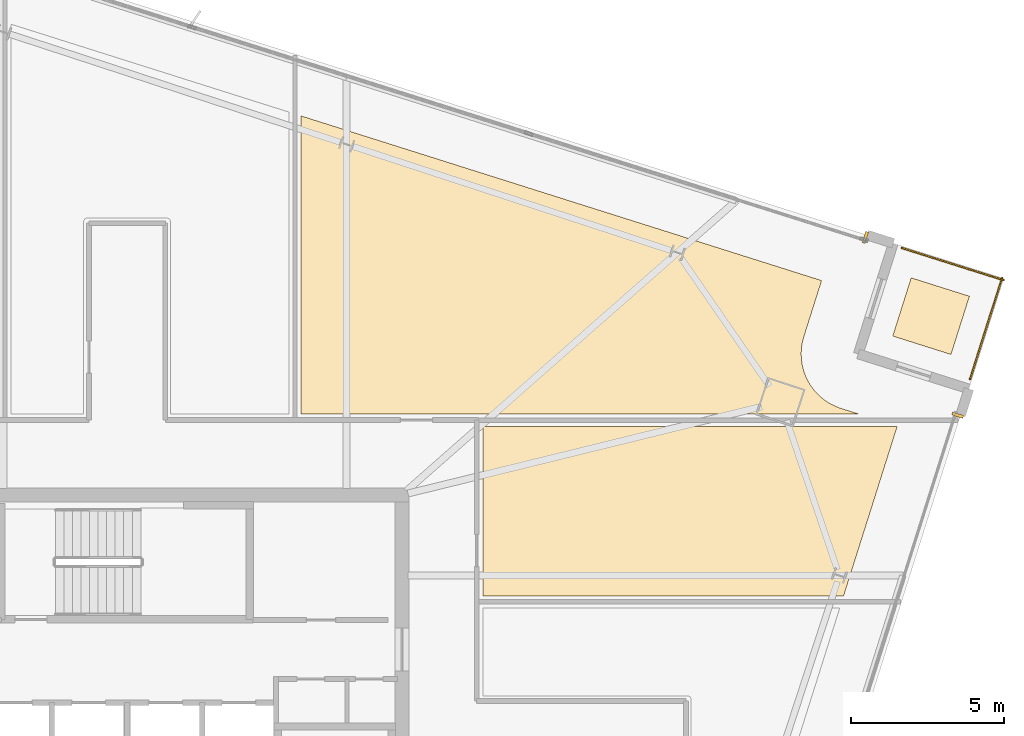
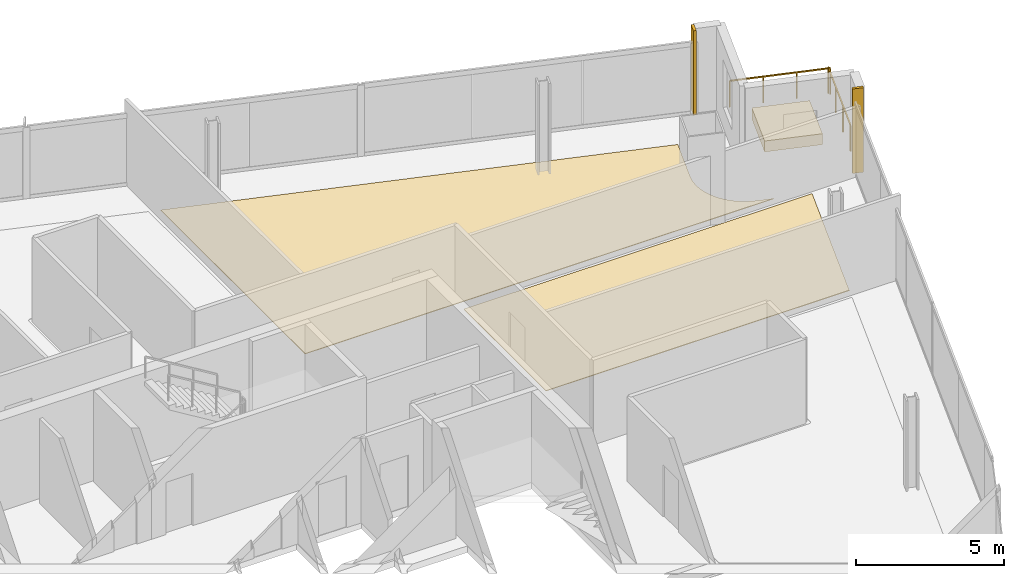
# One storey, part 26 of 26: 5 coverings, 2 railings.
"""IFC4 building model written with IfcOpenShell, lengths in metres."""

from ifc_helpers import new_model, si_unit, direction, frame, origin, origin_2d, place, context, subcontext, project, spatial, polyline, rectangle, outline, extrude, source, transform, mapped, material, layer, layer_set, type_object, element, save


model = new_model("IFC4")

# Units and contexts
model_context = context("Model", 3, precision=1e-05, world=origin(), true_north=direction((0.0, 1.0)))
body_context = subcontext(model_context, "Body", "Model", "MODEL_VIEW")
ifc_project = project(units=[si_unit("LENGTHUNIT", "METRE"), si_unit("AREAUNIT", "SQUARE_METRE"), si_unit("VOLUMEUNIT", "CUBIC_METRE"), si_unit("PLANEANGLEUNIT", "RADIAN"), si_unit("MASSUNIT", "GRAM", prefix="KILO")], contexts=[model_context])

# Site, building, storey
site_placement = place(None, origin())
site = spatial("IfcSite", under=ifc_project, at=site_placement, CompositionType="ELEMENT")
building_placement = place(site_placement, origin())
building = spatial("IfcBuilding", under=site, at=building_placement, Name="Haldenkirk Collegiate Tower", CompositionType="ELEMENT")
storey_placement = place(building_placement, frame((0.0, 0.0, 271.199951171875)))
storey = spatial("IfcBuildingStorey", under=building, at=storey_placement, Name="L68", CompositionType="ELEMENT", Elevation=271.199951171875)

# Coverings
ifc_material_1 = material(Name="Polished collegiate terrazzo", Category="concrete")
ifc_layer_1 = layer(ifc_material_1, 0.02490234375)
ifc_layer_set_1 = layer_set([ifc_layer_1], Name="Polished collegiate terrazzo")
covering_type_1 = type_object("IfcCoveringType", Name="COV-FLOOR-TERRAZZO", PredefinedType="FLOORING", material=ifc_layer_set_1)
covering_1_placement = place(storey_placement, origin())
element("IfcCovering", 1, at=covering_1_placement, inside=storey, type_object=covering_type_1, Name="L68 academic room finish 06", PredefinedType="FLOORING", context=body_context, shape_type="SweptSolid", body=[
    extrude(outline(polyline([(58.7431640625, 41.021240234375), (58.1611328125, 39.18115234375), (58.159423828125, 39.17529296875), (58.11572265625, 39.00927734375), (58.11328125, 38.997802734375), (58.086181640625, 38.828125), (58.0849609375, 38.81640625), (58.074462890625, 38.64501953125), (58.07421875, 38.63330078125), (58.080810546875, 38.461669921875), (58.081787109375, 38.449951171875), (58.10498046875, 38.27978515625), (58.107177734375, 38.268310546875), (58.14697265625, 38.10107421875), (58.150146484375, 38.08984375), (58.2060546875, 37.927490234375), (58.21044921875, 37.91650390625), (58.281982421875, 37.760498046875), (58.28759765625, 37.75), (58.3740234375, 37.6015625), (58.380615234375, 37.591796875), (58.481201171875, 37.45263671875), (58.488525390625, 37.443603515625), (58.602294921875, 37.31494140625), (58.610595703125, 37.306396484375), (58.736572265625, 37.189697265625), (58.74560546875, 37.18212890625), (58.882080078125, 37.078125), (58.891845703125, 37.071533203125), (59.0380859375, 36.9814453125), (59.04833984375, 36.975830078125), (59.202880859375, 36.900390625), (59.213623046875, 36.89599609375), (59.374755859375, 36.836181640625), (59.380126953125, 36.834228515625), (59.962890625, 36.64990234375), (41.699951171875, 36.64990234375), (41.699951171875, 46.411376953125), (58.7431640625, 41.021240234375)])), origin(), (0.0, 0.0, 1.0), 0.025146484375),
])
covering_2_placement = place(storey_placement, origin())
element("IfcCovering", 2, at=covering_2_placement, inside=storey, type_object=covering_type_1, Name="L68 academic room finish 12", PredefinedType="FLOORING", context=body_context, shape_type="SweptSolid", body=[
    extrude(outline(polyline([(59.46435546875, 30.699951171875), (47.64990234375, 30.699951171875), (47.64990234375, 36.25), (61.2197265625, 36.25), (59.46435546875, 30.699951171875)])), origin(), (0.0, 0.0, 1.0), 0.025146484375),
])
ifc_material_2 = material(Name="Precast concrete f'c 40 MPa", Category="concrete")
ifc_layer_2 = layer(ifc_material_2, 0.449951171875)
ifc_layer_set_2 = layer_set([ifc_layer_2], Name="Precast concrete f'c 40 MPa")
covering_type_2 = type_object("IfcCoveringType", Name="COV-PLANTER-450", PredefinedType="USERDEFINED", material=ifc_layer_set_2)
covering_3_placement = place(storey_placement, origin())
element("IfcCovering", 3, at=covering_3_placement, inside=storey, type_object=covering_type_2, Name="L68 planted garden planter bed", ObjectType="PLANTER", PredefinedType="USERDEFINED", context=body_context, shape_type="SweptSolid", body=[
    extrude(outline(polyline([(62.98046875, 38.600830078125), (61.073486328125, 39.203857421875), (61.676513671875, 41.11083984375), (63.58349609375, 40.5078125), (62.98046875, 38.600830078125)])), origin(), (0.0, 0.0, 1.0), 0.449951171875),
])

# Railings
ifc_material_3 = material(Name="Anodised architectural bronze aluminium", Category="aluminium")
railing_type = type_object("IfcRailingType", Name="RLG-TERR-BALUSTRADE-1100", PredefinedType="BALUSTRADE", material=ifc_material_3)
railing_1_placement = place(storey_placement, frame((63.6064453125, 37.794677734375, 0.0)))
element("IfcRailing", 4, at=railing_1_placement, inside=storey, type_object=railing_type, Name="L68 terrace guard balustrade 1-1", PredefinedType="BALUSTRADE", context=body_context, shape_type="SweptSolid", body=[
    extrude(rectangle(XDim=0.048095703125, YDim=0.048095703125, at=origin_2d()), frame((0.0, 0.0, 1.076171875), z_axis=(0.301540980623, 0.953453216999, 0.0), x_axis=(-0.953453216999, 0.301540980623, 0.0)), (0.0, 0.0, 1.0), 3.479736328125),
    extrude(rectangle(XDim=0.0419921875, YDim=0.0419921875, at=origin_2d()), origin(), (0.0, 0.0, 1.0), 1.052001953125),
    extrude(rectangle(XDim=0.0419921875, YDim=0.0419921875, at=origin_2d()), frame((0.349853515625, 1.10595703125, 0.0)), (0.0, 0.0, 1.0), 1.052001953125),
    extrude(rectangle(XDim=0.0419921875, YDim=0.0419921875, at=origin_2d()), frame((0.699462890625, 2.2119140625, 0.0)), (0.0, 0.0, 1.0), 1.052001953125),
    extrude(rectangle(XDim=0.0419921875, YDim=0.0419921875, at=origin_2d()), frame((1.04931640625, 3.31787109375, 0.0)), (0.0, 0.0, 1.0), 1.052001953125),
])
railing_2_placement = place(storey_placement, frame((64.69482421875, 41.037353515625, 0.0)))
element("IfcRailing", 5, at=railing_2_placement, inside=storey, type_object=railing_type, Name="L68 terrace guard balustrade 2-1", PredefinedType="BALUSTRADE", context=body_context, shape_type="SweptSolid", body=[
    extrude(rectangle(XDim=0.048095703125, YDim=0.048095703125, at=origin_2d()), frame((0.0, 0.0, 1.076171875), z_axis=(-0.953453216999, 0.301540980623, 0.0), x_axis=(-0.301540980623, -0.953453216999, 0.0)), (0.0, 0.0, 1.0), 3.479736328125),
    extrude(rectangle(XDim=0.0419921875, YDim=0.0419921875, at=origin_2d()), origin(), (0.0, 0.0, 1.0), 1.052001953125),
    extrude(rectangle(XDim=0.0419921875, YDim=0.0419921875, at=origin_2d()), frame((-1.10595703125, 0.349853515625, 0.0)), (0.0, 0.0, 1.0), 1.052001953125),
    extrude(rectangle(XDim=0.0419921875, YDim=0.0419921875, at=origin_2d()), frame((-2.2119140625, 0.699462890625, 0.0)), (0.0, 0.0, 1.0), 1.052001953125),
    extrude(rectangle(XDim=0.0419921875, YDim=0.0419921875, at=origin_2d()), frame((-3.31787109375, 1.04931640625, 0.0)), (0.0, 0.0, 1.0), 1.052001953125),
])

# Coverings
ifc_layer_3 = layer(ifc_material_3, 0.06005859375)
ifc_layer_set_3 = layer_set([ifc_layer_3], Name="Anodised architectural bronze aluminium")
covering_type_3 = type_object("IfcCoveringType", Name="COV-CLAD-BRONZE-60", PredefinedType="CLADDING", material=ifc_layer_set_3)
shared_shape = source(origin(), body_context, "Body", "SweptSolid", [
    extrude(rectangle(XDim=0.10009765625, YDim=0.3798828125, at=origin_2d()), origin(), (0.0, 0.0, 1.0), 3.47998046875),
])
for number, where, z_axis, x_axis, name in (
    (6, (63.200927734375, 36.61181640625, 0.0), (0.0, 0.0, 1.0), (-0.301537959944, -0.953454172319, 0.0), "L68 recessed curtain-wall bronze jamb closure SJL"),
    (7, (60.176025390625, 42.43505859375, 0.0), (0.0, 0.0, 1.0), (0.953454172319, -0.301537959944, 0.0), "L68 recessed curtain-wall bronze jamb closure EJR"),
):
    element("IfcCovering", number, at=place(storey_placement, frame(where, z_axis=z_axis, x_axis=x_axis)), inside=storey, type_object=covering_type_3, Name=name, PredefinedType="CLADDING", context=body_context, shape_type="MappedRepresentation", body=[
        mapped(shared_shape, transform((0.0, 0.0, 0.0), x_axis=(1.0, 0.0, 0.0), y_axis=(0.0, 1.0, 0.0), z_axis=(0.0, 0.0, 1.0), scale=1.0)),
    ])

save(model, "model.ifc")
